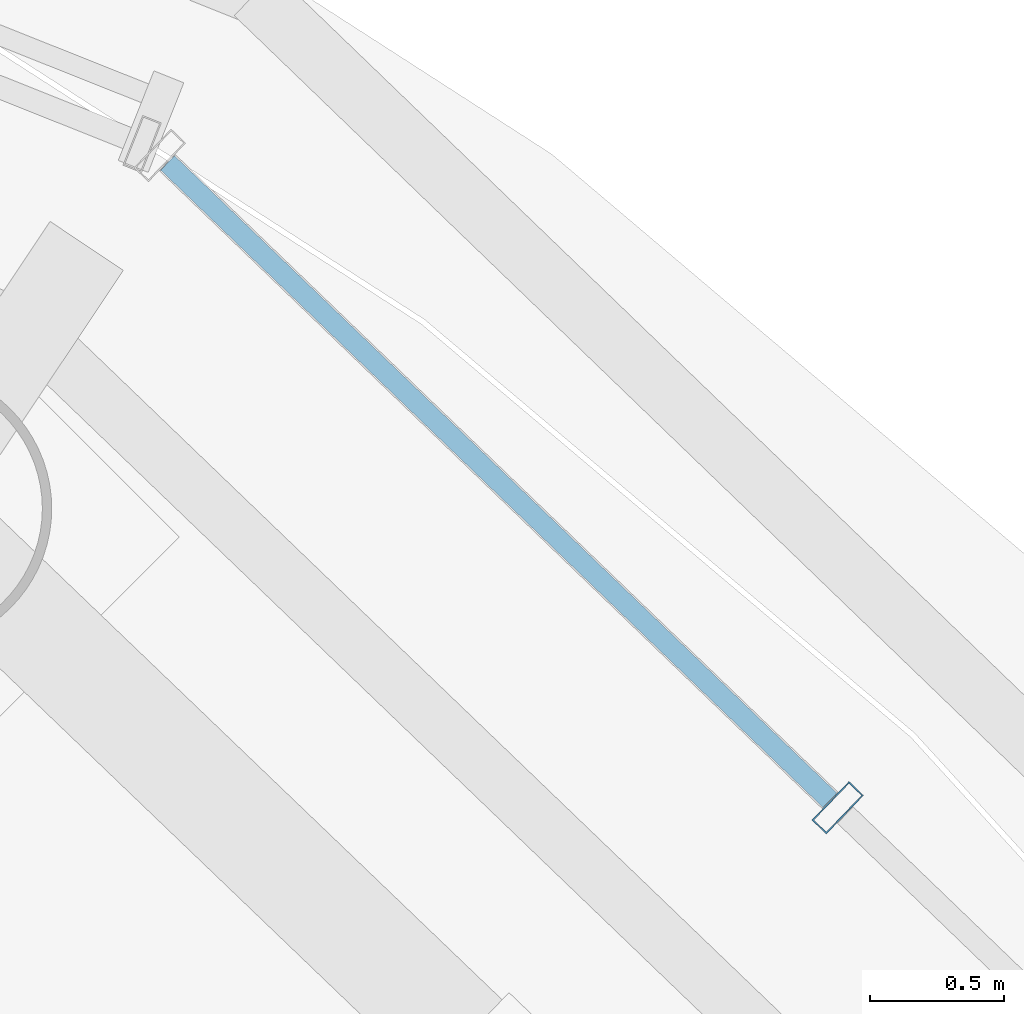
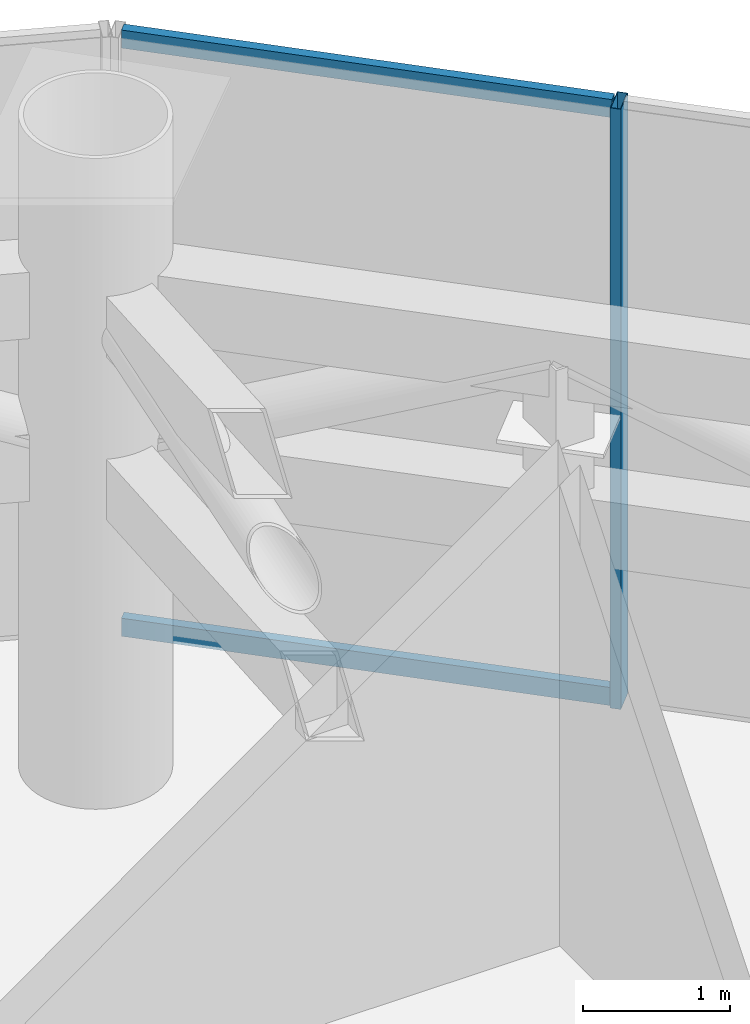
# One storey, part 10 of 21: 3 members, 1 element without a shape of its own.
"""IFC4 building model written with IfcOpenShell, lengths in metres."""

from ifc_helpers import new_model, si_unit, direction, frame, origin, origin_2d, place, context, subcontext, project, spatial, hollow_rectangle, extrude, source, transform, mapped, material, material_profile, profile_set, type_object, element, aggregate, save


model = new_model("IFC4")

# Units and contexts
model_context = context("Model", 3, precision=1e-05, world=origin(), true_north=direction((-0.2419218956, 0.970295726276)))
body_context = subcontext(model_context, "Body", "Model", "MODEL_VIEW")
ifc_project = project(units=[si_unit("LENGTHUNIT", "METRE"), si_unit("AREAUNIT", "SQUARE_METRE"), si_unit("VOLUMEUNIT", "CUBIC_METRE"), si_unit("PLANEANGLEUNIT", "RADIAN"), si_unit("MASSUNIT", "GRAM", prefix="KILO")], contexts=[model_context])

# Site, building, storey
site_placement = place(None, origin())
site = spatial("IfcSite", under=ifc_project, at=site_placement, CompositionType="ELEMENT")
building_placement = place(site_placement, origin())
building = spatial("IfcBuilding", under=site, at=building_placement, Name="Cobrevalo Terracotta Tower", CompositionType="ELEMENT")
storey_placement = place(building_placement, frame((0.0, 0.0, 300.699951171875)))
storey = spatial("IfcBuildingStorey", under=building, at=storey_placement, Name="L79", CompositionType="ELEMENT", Elevation=300.699951171875)

# Curtain wall, members
ifc_material = material(Name="Anodized aluminium", Category="aluminium")
curtain_wall_type = type_object("IfcCurtainWallType", Name="Belt-truss plant acoustic weather-louvre curtain wall CW-LV", PredefinedType="NOTDEFINED", material=ifc_material)
curtain_wall_placement = place(storey_placement, origin())
curtain_wall = element("IfcCurtainWall", 1, at=curtain_wall_placement, inside=storey, type_object=curtain_wall_type, Name="L79 curtain wall CW-LV-L79-S02", PredefinedType="NOTDEFINED")
ifc_material_profile_1 = material_profile(ifc_material, hollow_rectangle(XDim=0.074951171875, YDim=0.199951171875, WallThickness=0.0048828125, at=origin_2d()), Name="CWM 75x200")
ifc_profile_set_1 = profile_set([ifc_material_profile_1], Name="Anodized aluminium")
member_type_1 = type_object("IfcMemberType", Name="Lower/mid tower unitised mullion 75x200", PredefinedType="MULLION", material=ifc_profile_set_1)
shared_shape_1 = source(origin(), body_context, "Body", "SweptSolid", [
    extrude(hollow_rectangle(XDim=0.074951171875, YDim=0.199951171875, WallThickness=0.0048828125, at=origin_2d()), origin(), (0.0, 0.0, 1.0), 4.97998046875),
])
member_1_placement = place(storey_placement, frame((50.878662109375, 39.193115234375, 0.0), z_axis=(0.0, 0.0, 1.0), x_axis=(-0.72055111168, 0.693401828276, 0.0)))
member_1 = element("IfcMember", 2, at=member_1_placement, type_object=member_type_1, Name="CW-LV-L79-S02 vertical mullion 02", PredefinedType="MULLION", context=body_context, shape_type="MappedRepresentation", body=[
    mapped(shared_shape_1, transform((0.0, 0.0, 0.0), scale=1.0)),
])
ifc_material_profile_2 = material_profile(ifc_material, hollow_rectangle(XDim=0.074951171875, YDim=0.14990234375, WallThickness=0.00439453125, at=origin_2d()), Name="CWT 75x150")
ifc_profile_set_2 = profile_set([ifc_material_profile_2], Name="Anodized aluminium")
member_type_2 = type_object("IfcMemberType", Name="Tower unitised aluminium transom 75x150", PredefinedType="USERDEFINED", material=ifc_profile_set_2)
shared_shape_2 = source(origin(), body_context, "Body", "SweptSolid", [
    extrude(hollow_rectangle(XDim=0.074951171875, YDim=0.14990234375, WallThickness=0.00439453125, at=origin_2d()), origin(), (0.0, 0.0, 1.0), 3.43505859375),
])
member_2_placement = place(storey_placement, frame((50.849853515625, 39.220947265625, 0.050048828125), z_axis=(-0.7205858285, 0.693365750355, 0.0), x_axis=(-0.693365750355, -0.7205858285, 0.0)))
member_2 = element("IfcMember", 3, at=member_2_placement, type_object=member_type_2, Name="CW-LV-L79-S02 transom B02-T1", ObjectType="TRANSOM", PredefinedType="USERDEFINED", context=body_context, shape_type="MappedRepresentation", body=[
    mapped(shared_shape_2, transform((0.0, 0.0, 0.0), scale=1.0)),
])
member_3_placement = place(storey_placement, frame((50.849853515625, 39.220947265625, 4.929931640625), z_axis=(-0.7205858285, 0.693365750355, 0.0), x_axis=(-0.693365750355, -0.7205858285, 0.0)))
member_3 = element("IfcMember", 4, at=member_3_placement, type_object=member_type_2, Name="CW-LV-L79-S02 transom B02-T2", ObjectType="TRANSOM", PredefinedType="USERDEFINED", context=body_context, shape_type="MappedRepresentation", body=[
    mapped(shared_shape_2, transform((0.0, 0.0, 0.0), scale=1.0)),
])
aggregate(curtain_wall, [member_1, member_2, member_3])

save(model, "model.ifc")
